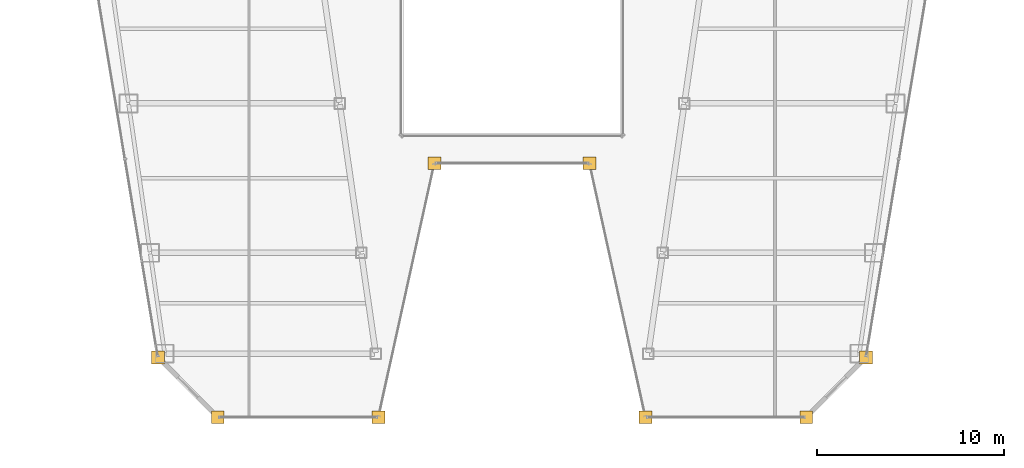
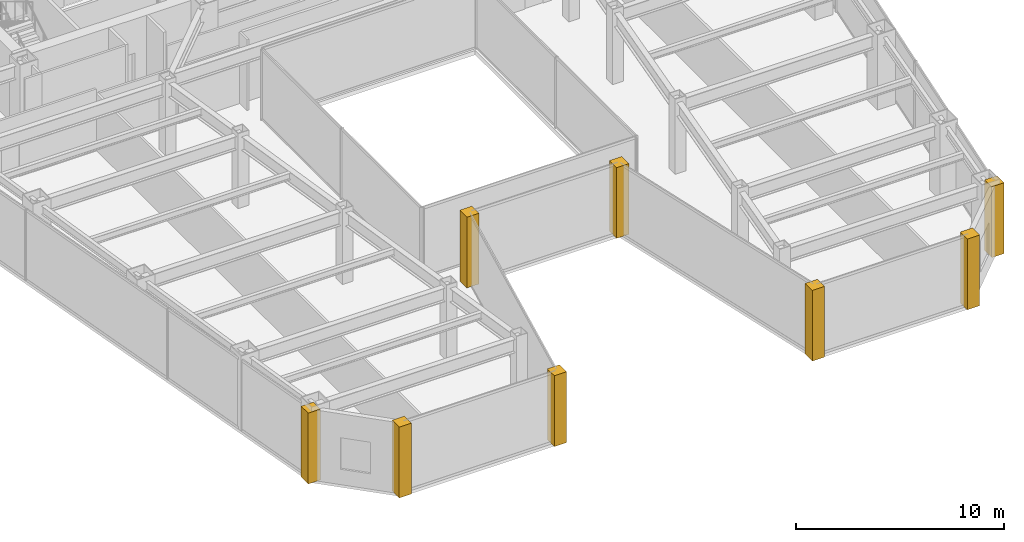
# One storey, part 35 of 37: 8 coverings.
"""IFC4 building model written with IfcOpenShell, lengths in metres."""

from ifc_helpers import new_model, si_unit, direction, frame, origin, place, context, subcontext, project, spatial, polyline, outline, extrude, material, layer, layer_set, type_object, element, save


model = new_model("IFC4")

# Units and contexts
model_context = context("Model", 3, precision=1e-05, world=origin(), true_north=direction((0.0, 1.0)))
body_context = subcontext(model_context, "Body", "Model", "MODEL_VIEW")
ifc_project = project(units=[si_unit("LENGTHUNIT", "METRE"), si_unit("AREAUNIT", "SQUARE_METRE"), si_unit("VOLUMEUNIT", "CUBIC_METRE"), si_unit("PLANEANGLEUNIT", "RADIAN"), si_unit("MASSUNIT", "GRAM", prefix="KILO")], contexts=[model_context])

# Site, building, storey
site_placement = place(None, origin())
site = spatial("IfcSite", under=ifc_project, at=site_placement, CompositionType="ELEMENT")
building_placement = place(site_placement, origin())
building = spatial("IfcBuilding", under=site, at=building_placement, Name="Saevonmaru Cultural Tower", CompositionType="ELEMENT")
storey_placement = place(building_placement, frame((0.0, 0.0, 110.39990234375)))
storey = spatial("IfcBuildingStorey", under=building, at=storey_placement, Name="L23", CompositionType="ELEMENT", Elevation=110.39990234375)

# Coverings
ifc_material = material(Name="Satin Bronze Anodised Aluminium", Category="aluminium")
ifc_layer = layer(ifc_material, 0.679931640625, Name="Satin Bronze Anodised Aluminium")
ifc_layer_set = layer_set([ifc_layer], Name="Satin Bronze Anodised Aluminium")
covering_type = type_object("IfcCoveringType", Name="CV-CORNER-CLAD", PredefinedType="CLADDING", material=ifc_layer_set)
covering_1_placement = place(storey_placement, origin())
element("IfcCovering", 1, at=covering_1_placement, inside=storey, type_object=covering_type, Name="L23 Tower Bronze Corner Cladding Pier 1", PredefinedType="CLADDING", context=body_context, shape_type="SweptSolid", body=[
    extrude(outline(polyline([(10.708984375, 10.06005859375), (11.388916015625, 10.06005859375), (11.388916015625, 10.739990234375), (10.708984375, 10.739990234375), (10.708984375, 10.06005859375)])), origin(), (0.0, 0.0, 1.0), 4.150146484375),
])
covering_2_placement = place(storey_placement, origin())
element("IfcCovering", 2, at=covering_2_placement, inside=storey, type_object=covering_type, Name="L23 Tower Bronze Corner Cladding Pier 2", PredefinedType="CLADDING", context=body_context, shape_type="SweptSolid", body=[
    extrude(outline(polyline([(13.908935546875, 6.860107421875), (14.589111328125, 6.860107421875), (14.589111328125, 7.5400390625), (13.908935546875, 7.5400390625), (13.908935546875, 6.860107421875)])), origin(), (0.0, 0.0, 1.0), 4.150146484375),
])
covering_3_placement = place(storey_placement, origin())
element("IfcCovering", 3, at=covering_3_placement, inside=storey, type_object=covering_type, Name="L23 Tower Bronze Corner Cladding Pier 3", PredefinedType="CLADDING", context=body_context, shape_type="SweptSolid", body=[
    extrude(outline(polyline([(22.509033203125, 6.860107421875), (23.18896484375, 6.860107421875), (23.18896484375, 7.5400390625), (22.509033203125, 7.5400390625), (22.509033203125, 6.860107421875)])), origin(), (0.0, 0.0, 1.0), 4.150146484375),
])
covering_4_placement = place(storey_placement, origin())
element("IfcCovering", 4, at=covering_4_placement, inside=storey, type_object=covering_type, Name="L23 Tower Bronze Corner Cladding Pier 4", PredefinedType="CLADDING", context=body_context, shape_type="SweptSolid", body=[
    extrude(outline(polyline([(25.509033203125, 20.4599609375), (26.18896484375, 20.4599609375), (26.18896484375, 21.139892578125), (25.509033203125, 21.139892578125), (25.509033203125, 20.4599609375)])), origin(), (0.0, 0.0, 1.0), 4.150146484375),
])
covering_5_placement = place(storey_placement, origin())
element("IfcCovering", 5, at=covering_5_placement, inside=storey, type_object=covering_type, Name="L23 Tower Bronze Corner Cladding Pier 5", PredefinedType="CLADDING", context=body_context, shape_type="SweptSolid", body=[
    extrude(outline(polyline([(33.81103515625, 20.4599609375), (34.490966796875, 20.4599609375), (34.490966796875, 21.139892578125), (33.81103515625, 21.139892578125), (33.81103515625, 20.4599609375)])), origin(), (0.0, 0.0, 1.0), 4.150146484375),
])
covering_6_placement = place(storey_placement, origin())
element("IfcCovering", 6, at=covering_6_placement, inside=storey, type_object=covering_type, Name="L23 Tower Bronze Corner Cladding Pier 6", PredefinedType="CLADDING", context=body_context, shape_type="SweptSolid", body=[
    extrude(outline(polyline([(36.81103515625, 6.860107421875), (37.490966796875, 6.860107421875), (37.490966796875, 7.5400390625), (36.81103515625, 7.5400390625), (36.81103515625, 6.860107421875)])), origin(), (0.0, 0.0, 1.0), 4.150146484375),
])
covering_7_placement = place(storey_placement, origin())
element("IfcCovering", 7, at=covering_7_placement, inside=storey, type_object=covering_type, Name="L23 Tower Bronze Corner Cladding Pier 7", PredefinedType="CLADDING", context=body_context, shape_type="SweptSolid", body=[
    extrude(outline(polyline([(45.410888671875, 6.860107421875), (46.091064453125, 6.860107421875), (46.091064453125, 7.5400390625), (45.410888671875, 7.5400390625), (45.410888671875, 6.860107421875)])), origin(), (0.0, 0.0, 1.0), 4.150146484375),
])
covering_8_placement = place(storey_placement, origin())
element("IfcCovering", 8, at=covering_8_placement, inside=storey, type_object=covering_type, Name="L23 Tower Bronze Corner Cladding Pier 8", PredefinedType="CLADDING", context=body_context, shape_type="SweptSolid", body=[
    extrude(outline(polyline([(48.611083984375, 10.06005859375), (49.291015625, 10.06005859375), (49.291015625, 10.739990234375), (48.611083984375, 10.739990234375), (48.611083984375, 10.06005859375)])), origin(), (0.0, 0.0, 1.0), 4.150146484375),
])

save(model, "model.ifc")
